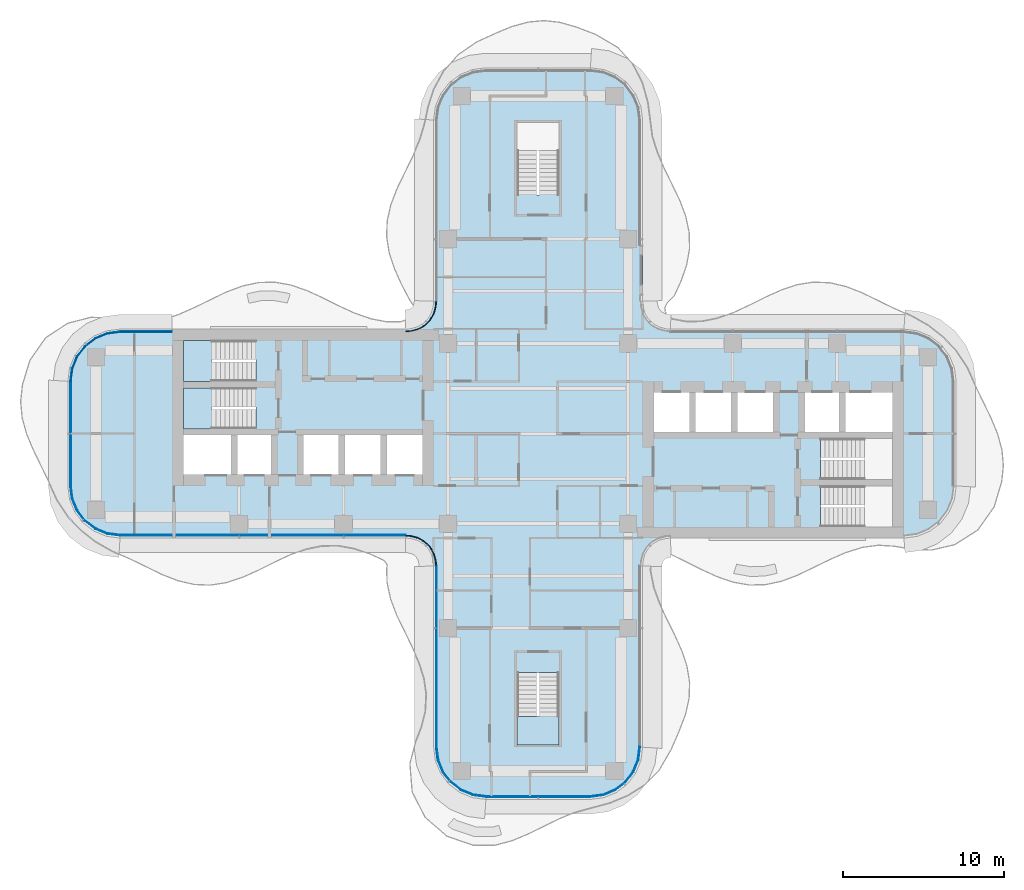
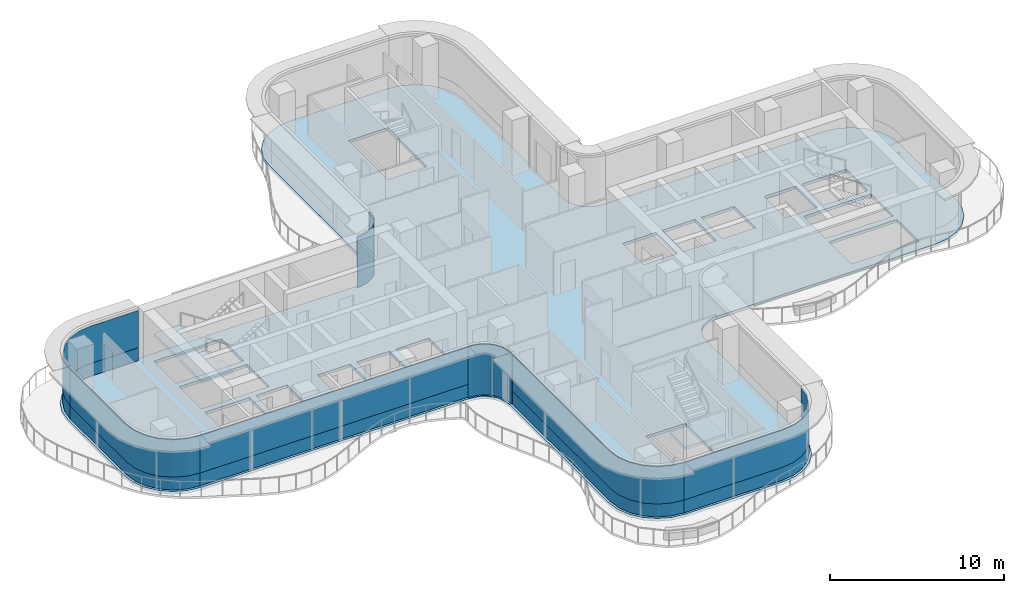
# One storey, part 8 of 16: 12 plates, 4 slabs, 10 elements without a shape of their own.
"""IFC4 building model written with IfcOpenShell, lengths in metres."""

from ifc_helpers import new_model, si_unit, direction, frame, origin, place, context, subcontext, project, spatial, polyline, outline, extrude, source, transform, mapped, material, layer, layer_set, type_object, element, aggregate, save


model = new_model("IFC4")

# Units and contexts
model_context = context("Model", 3, precision=1e-05, world=origin(), true_north=direction((0.0, 1.0)))
body_context = subcontext(model_context, "Body", "Model", "MODEL_VIEW")
ifc_project = project(units=[si_unit("LENGTHUNIT", "METRE"), si_unit("AREAUNIT", "SQUARE_METRE"), si_unit("VOLUMEUNIT", "CUBIC_METRE"), si_unit("PLANEANGLEUNIT", "RADIAN"), si_unit("MASSUNIT", "GRAM", prefix="KILO")], contexts=[model_context])

# Site, building, storey
site_placement = place(None, origin())
site = spatial("IfcSite", under=ifc_project, at=site_placement, CompositionType="ELEMENT")
building_placement = place(site_placement, origin())
building = spatial("IfcBuilding", under=site, at=building_placement, Name="Trellis Farm Tower", CompositionType="ELEMENT")
storey_placement = place(building_placement, frame((0.0, 0.0, 255.800048828125)))
storey = spatial("IfcBuildingStorey", under=building, at=storey_placement, Name="L57", CompositionType="ELEMENT", Elevation=255.800048828125)

# Slab
ifc_material_1 = material(Name="Concrete C40/50", Category="concrete")
ifc_layer_1 = layer(ifc_material_1, 0.199951171875)
ifc_layer_set_1 = layer_set([ifc_layer_1], Name="Composite deck floor slab 200")
slab_type_1 = type_object("IfcSlabType", Name="Composite deck floor slab 200", PredefinedType="FLOOR", material=ifc_layer_set_1)
shared_shape_1 = source(origin(), body_context, "Body", "SweptSolid", [
    extrude(outline(polyline([(-26.84130859375, -6.389404296875), (-27.625, -6.064697265625), (-28.298095703125, -5.548095703125), (-28.814697265625, -4.875), (-29.139404296875, -4.09130859375), (-29.25, -3.25), (-29.25, 3.25), (-29.139404296875, 4.09130859375), (-28.814697265625, 4.875), (-28.298095703125, 5.548095703125), (-27.625, 6.064697265625), (-26.84130859375, 6.389404296875), (-26.0, 6.5), (-8.2314453125, 6.5), (-8.01953125, 6.513916015625), (-7.91552734375, 6.527587890625), (-7.508544921875, 6.63671875), (-7.144287109375, 6.846923828125), (-6.846923828125, 7.144287109375), (-6.63671875, 7.508544921875), (-6.527587890625, 7.91552734375), (-6.513916015625, 8.01953125), (-6.5, 8.2314453125), (-6.5, 19.5), (-6.389404296875, 20.34130859375), (-6.064697265625, 21.125), (-5.548095703125, 21.798095703125), (-4.875, 22.314697265625), (-4.09130859375, 22.639404296875), (-3.25, 22.75), (3.25, 22.75), (4.09130859375, 22.639404296875), (4.875, 22.314697265625), (5.548095703125, 21.798095703125), (6.064697265625, 21.125), (6.389404296875, 20.34130859375), (6.5, 19.5), (6.5, 8.2314453125), (6.513916015625, 8.01953125), (6.527587890625, 7.91552734375), (6.63671875, 7.508544921875), (6.846923828125, 7.144287109375), (7.144287109375, 6.846923828125), (7.508544921875, 6.63671875), (7.91552734375, 6.527587890625), (8.01953125, 6.513916015625), (8.2314453125, 6.5), (22.75, 6.5), (23.59130859375, 6.389404296875), (24.375, 6.064697265625), (25.048095703125, 5.548095703125), (25.564697265625, 4.875), (25.889404296875, 4.09130859375), (26.0, 3.25), (26.0, -3.25), (25.889404296875, -4.09130859375), (25.564697265625, -4.875), (25.048095703125, -5.548095703125), (24.375, -6.064697265625), (23.59130859375, -6.389404296875), (22.75, -6.5), (8.2314453125, -6.5), (8.01953125, -6.513916015625), (7.91552734375, -6.527587890625), (7.508544921875, -6.63671875), (7.144287109375, -6.846923828125), (6.846923828125, -7.144287109375), (6.63671875, -7.508544921875), (6.527587890625, -7.91552734375), (6.513916015625, -8.01953125), (6.5, -8.2314453125), (6.5, -19.5), (6.389404296875, -20.34130859375), (6.064697265625, -21.125), (5.548095703125, -21.798095703125), (4.875, -22.314697265625), (4.09130859375, -22.639404296875), (3.25, -22.75), (-3.25, -22.75), (-4.09130859375, -22.639404296875), (-4.875, -22.314697265625), (-5.548095703125, -21.798095703125), (-6.064697265625, -21.125), (-6.389404296875, -20.34130859375), (-6.5, -19.5), (-6.5, -8.2314453125), (-6.513916015625, -8.01953125), (-6.527587890625, -7.91552734375), (-6.63671875, -7.508544921875), (-6.846923828125, -7.144287109375), (-7.144287109375, -6.846923828125), (-7.508544921875, -6.63671875), (-7.91552734375, -6.527587890625), (-8.01953125, -6.513916015625), (-8.2314453125, -6.5), (-26.0, -6.5), (-26.84130859375, -6.389404296875)]), holes=[polyline([(-22.050048828125, -0.10009765625), (-22.050048828125, -2.550048828125), (-19.10009765625, -2.550048828125), (-19.10009765625, -0.10009765625), (-22.050048828125, -0.10009765625)]), polyline([(-18.699951171875, -0.10009765625), (-18.699951171875, -2.550048828125), (-16.60009765625, -2.550048828125), (-16.60009765625, -0.10009765625), (-18.699951171875, -0.10009765625)]), polyline([(-14.60009765625, -0.10009765625), (-14.60009765625, -2.550048828125), (-12.39990234375, -2.550048828125), (-12.39990234375, -0.10009765625), (-14.60009765625, -0.10009765625)]), polyline([(-12.0, -0.10009765625), (-12.0, -2.550048828125), (-9.800048828125, -2.550048828125), (-9.800048828125, -0.10009765625), (-12.0, -0.10009765625)]), polyline([(-9.39990234375, -0.10009765625), (-9.39990234375, -2.550048828125), (-7.199951171875, -2.550048828125), (-7.199951171875, -0.10009765625), (-9.39990234375, -0.10009765625)]), polyline([(-17.56201171875, 1.64990234375), (-17.56201171875, 2.85009765625), (-22.050048828125, 2.85009765625), (-22.050048828125, 0.300048828125), (-17.56005859375, 0.300048828125), (-17.56005859375, 1.5), (-17.550048828125, 1.5), (-17.550048828125, 1.64990234375), (-17.56201171875, 1.64990234375)]), polyline([(-17.56201171875, 4.60009765625), (-17.56201171875, 5.800048828125), (-22.050048828125, 5.800048828125), (-22.050048828125, 3.25), (-17.56005859375, 3.25), (-17.56005859375, 4.449951171875), (-17.550048828125, 4.449951171875), (-17.550048828125, 4.60009765625), (-17.56201171875, 4.60009765625)]), polyline([(0.10009765625, 14.862060546875), (1.300048828125, 14.862060546875), (1.300048828125, 19.35009765625), (-1.300048828125, 19.35009765625), (-1.300048828125, 14.860107421875), (-0.10009765625, 14.860107421875), (-0.10009765625, 14.85009765625), (0.10009765625, 14.85009765625), (0.10009765625, 14.862060546875)]), polyline([(-0.10009765625, -14.862060546875), (-1.300048828125, -14.862060546875), (-1.300048828125, -19.35009765625), (1.300048828125, -19.35009765625), (1.300048828125, -14.860107421875), (0.10009765625, -14.860107421875), (0.10009765625, -14.85009765625), (-0.10009765625, -14.85009765625), (-0.10009765625, -14.862060546875)]), polyline([(17.56201171875, -4.60009765625), (17.56201171875, -5.800048828125), (22.050048828125, -5.800048828125), (22.050048828125, -3.25), (17.56005859375, -3.25), (17.56005859375, -4.449951171875), (17.550048828125, -4.449951171875), (17.550048828125, -4.60009765625), (17.56201171875, -4.60009765625)]), polyline([(17.56201171875, -1.64990234375), (17.56201171875, -2.85009765625), (22.050048828125, -2.85009765625), (22.050048828125, -0.300048828125), (17.56005859375, -0.300048828125), (17.56005859375, -1.5), (17.550048828125, -1.5), (17.550048828125, -1.64990234375), (17.56201171875, -1.64990234375)]), polyline([(9.39990234375, 0.10009765625), (9.39990234375, 2.550048828125), (7.199951171875, 2.550048828125), (7.199951171875, 0.10009765625), (9.39990234375, 0.10009765625)]), polyline([(12.0, 0.10009765625), (12.0, 2.550048828125), (9.800048828125, 2.550048828125), (9.800048828125, 0.10009765625), (12.0, 0.10009765625)]), polyline([(14.60009765625, 0.10009765625), (14.60009765625, 2.550048828125), (12.39990234375, 2.550048828125), (12.39990234375, 0.10009765625), (14.60009765625, 0.10009765625)]), polyline([(18.699951171875, 0.10009765625), (18.699951171875, 2.550048828125), (16.60009765625, 2.550048828125), (16.60009765625, 0.10009765625), (18.699951171875, 0.10009765625)]), polyline([(22.050048828125, 0.10009765625), (22.050048828125, 2.550048828125), (19.10009765625, 2.550048828125), (19.10009765625, 0.10009765625), (22.050048828125, 0.10009765625)])]), origin(), (0.0, 0.0, 1.0), 0.199951171875),
])
slab_1_placement = place(storey_placement, frame((0.0, 0.0, -0.199951171875)))
element("IfcSlab", 1, at=slab_1_placement, inside=storey, type_object=slab_type_1, Name="Floor slab", PredefinedType="FLOOR", context=body_context, shape_type="MappedRepresentation", body=[
    mapped(shared_shape_1, transform((0.0, 0.0, 0.0))),
])

# Stair, slab
ifc_material_2 = material(Name="Concrete C50/60", Category="concrete")
stair_type = type_object("IfcStairType", Name="CORE EXIT STAIR 22 RISERS 177 MM", PredefinedType="HALF_TURN_STAIR", material=ifc_material_2)
placement_1 = place(storey_placement, origin())
stair_1 = element("IfcStair", 2, at=placement_1, inside=storey, type_object=stair_type, Name="Exit stair S", PredefinedType="HALF_TURN_STAIR")
ifc_layer_2 = layer(ifc_material_2, 0.18994140625)
ifc_layer_set_2 = layer_set([ifc_layer_2], Name="CORE STAIR LANDING 190 CONCRETE C50/60")
slab_type_2 = type_object("IfcSlabType", Name="CORE STAIR LANDING 190 CONCRETE C50/60", PredefinedType="LANDING", material=ifc_layer_set_2)
shared_shape_2 = source(origin(), body_context, "Body", "SweptSolid", [
    extrude(outline(polyline([(1.300048828125, -19.35009765625), (-1.300048828125, -19.35009765625), (-1.300048828125, -17.60009765625), (-1.300048828125, -17.590087890625), (-0.10009765625, -17.590087890625), (-0.10009765625, -17.60009765625), (0.10009765625, -17.60009765625), (0.10009765625, -17.27197265625), (1.300048828125, -17.27197265625), (1.300048828125, -17.60009765625), (1.300048828125, -19.35009765625)])), origin(), (0.0, 0.0, 1.0), 0.18994140625),
])
placement_2 = place(storey_placement, frame((0.0, 0.0, 1.760009765625)))
slab_2 = element("IfcSlab", 3, at=placement_2, type_object=slab_type_2, Name="STS landing 1", PredefinedType="LANDING", context=body_context, shape_type="MappedRepresentation", body=[
    mapped(shared_shape_2, transform((0.0, 0.0, 0.0))),
])
aggregate(stair_1, [slab_2])

stair_2 = element("IfcStair", 4, at=placement_1, inside=storey, type_object=stair_type, Name="Exit stair W1", PredefinedType="HALF_TURN_STAIR")
shared_shape_3 = source(origin(), body_context, "Body", "SweptSolid", [
    extrude(outline(polyline([(-19.971923828125, 4.449951171875), (-19.971923828125, 3.25), (-20.300048828125, 3.25), (-22.050048828125, 3.25), (-22.050048828125, 5.800048828125), (-20.300048828125, 5.800048828125), (-20.2900390625, 5.800048828125), (-20.2900390625, 4.60009765625), (-20.300048828125, 4.60009765625), (-20.300048828125, 4.449951171875), (-19.971923828125, 4.449951171875)])), origin(), (0.0, 0.0, 1.0), 0.18994140625),
])
slab_3 = element("IfcSlab", 5, at=placement_2, type_object=slab_type_2, Name="STW1 landing 1", PredefinedType="LANDING", context=body_context, shape_type="MappedRepresentation", body=[
    mapped(shared_shape_3, transform((0.0, 0.0, 0.0))),
])
aggregate(stair_2, [slab_3])

stair_3 = element("IfcStair", 6, at=placement_1, inside=storey, type_object=stair_type, Name="Exit stair W2", PredefinedType="HALF_TURN_STAIR")
shared_shape_4 = source(origin(), body_context, "Body", "SweptSolid", [
    extrude(outline(polyline([(-19.971923828125, 1.5), (-19.971923828125, 0.300048828125), (-20.300048828125, 0.300048828125), (-22.050048828125, 0.300048828125), (-22.050048828125, 2.85009765625), (-20.300048828125, 2.85009765625), (-20.2900390625, 2.85009765625), (-20.2900390625, 1.64990234375), (-20.300048828125, 1.64990234375), (-20.300048828125, 1.5), (-19.971923828125, 1.5)])), origin(), (0.0, 0.0, 1.0), 0.18994140625),
])
slab_4 = element("IfcSlab", 7, at=placement_2, type_object=slab_type_2, Name="STW2 landing 1", PredefinedType="LANDING", context=body_context, shape_type="MappedRepresentation", body=[
    mapped(shared_shape_4, transform((0.0, 0.0, 0.0))),
])
aggregate(stair_3, [slab_4])

# Curtain wall, plate
ifc_material_3 = material(Name="Aluminium and glass curtain wall", Category="aluminium")
ifc_layer_3 = layer(ifc_material_3, 0.166015625)
ifc_layer_set_3 = layer_set([ifc_layer_3], Name="WINTER GARDEN CURTAIN WALL CW3")
curtain_wall_type_1 = type_object("IfcCurtainWallType", Name="WINTER GARDEN CURTAIN WALL CW3", PredefinedType="NOTDEFINED", material=ifc_layer_set_3)
curtain_wall_1 = element("IfcCurtainWall", 8, at=placement_1, inside=storey, type_object=curtain_wall_type_1, Name="CW3 001", PredefinedType="NOTDEFINED")
ifc_material_4 = material(Name="Clear insulated glass", Category="glass")
ifc_layer_4 = layer(ifc_material_4, 0.0458984375)
ifc_layer_set_4 = layer_set([ifc_layer_4], Name="CW3 GLASS PANEL 46")
plate_type_1 = type_object("IfcPlateType", Name="CW3 GLASS PANEL 46", PredefinedType="CURTAIN_PANEL", material=ifc_layer_set_4)
shared_shape_5 = source(origin(), body_context, "Body", "SweptSolid", [
    extrude(outline(polyline([(-8.2275390625, -6.3798828125), (-8.0078125, -6.394287109375), (-7.89208984375, -6.40966796875), (-7.462158203125, -6.52490234375), (-7.070556640625, -6.7509765625), (-6.7509765625, -7.070556640625), (-6.52490234375, -7.462158203125), (-6.40966796875, -7.89208984375), (-6.394287109375, -8.0078125), (-6.3798828125, -8.2275390625), (-6.333984375, -8.22607421875), (-6.3486328125, -8.003173828125), (-6.364501953125, -7.883056640625), (-6.48193359375, -7.4443359375), (-6.714111328125, -7.04248046875), (-7.04248046875, -6.714111328125), (-7.4443359375, -6.48193359375), (-7.883056640625, -6.364501953125), (-8.003173828125, -6.3486328125), (-8.22607421875, -6.333984375), (-8.2275390625, -6.3798828125)])), origin(), (0.0, 0.0, 1.0), 3.550048828125),
])
plate_1 = element("IfcPlate", 9, at=placement_1, type_object=plate_type_1, Name="PL3 001", PredefinedType="CURTAIN_PANEL", context=body_context, shape_type="MappedRepresentation", body=[
    mapped(shared_shape_5, transform((0.0, 0.0, 0.0))),
])
aggregate(curtain_wall_1, [plate_1])

curtain_wall_2 = element("IfcCurtainWall", 10, at=placement_1, inside=storey, type_object=curtain_wall_type_1, Name="CW3 004", PredefinedType="NOTDEFINED")
shared_shape_6 = source(origin(), body_context, "Body", "SweptSolid", [
    extrude(outline(polyline([(-6.3798828125, 8.2275390625), (-6.394287109375, 8.0078125), (-6.40966796875, 7.89208984375), (-6.52490234375, 7.462158203125), (-6.7509765625, 7.070556640625), (-7.070556640625, 6.7509765625), (-7.462158203125, 6.52490234375), (-7.89208984375, 6.40966796875), (-8.0078125, 6.394287109375), (-8.2275390625, 6.3798828125), (-8.22607421875, 6.333984375), (-8.003173828125, 6.3486328125), (-7.883056640625, 6.364501953125), (-7.4443359375, 6.48193359375), (-7.04248046875, 6.714111328125), (-6.714111328125, 7.04248046875), (-6.48193359375, 7.4443359375), (-6.364501953125, 7.883056640625), (-6.3486328125, 8.003173828125), (-6.333984375, 8.22607421875), (-6.3798828125, 8.2275390625)])), origin(), (0.0, 0.0, 1.0), 3.550048828125),
])
plate_2 = element("IfcPlate", 11, at=placement_1, type_object=plate_type_1, Name="PL3 004", PredefinedType="CURTAIN_PANEL", context=body_context, shape_type="MappedRepresentation", body=[
    mapped(shared_shape_6, transform((0.0, 0.0, 0.0))),
])
aggregate(curtain_wall_2, [plate_2])

# Curtain wall, plates
ifc_layer_5 = layer(ifc_material_3, 0.18994140625)
ifc_layer_set_5 = layer_set([ifc_layer_5], Name="RIBBON CURTAIN WALL CW1")
curtain_wall_type_2 = type_object("IfcCurtainWallType", Name="RIBBON CURTAIN WALL CW1", PredefinedType="NOTDEFINED", material=ifc_layer_set_5)
curtain_wall_3 = element("IfcCurtainWall", 12, at=placement_1, inside=storey, type_object=curtain_wall_type_2, Name="CW1 001", PredefinedType="NOTDEFINED")
ifc_layer_6 = layer(ifc_material_4, 0.0400390625)
ifc_layer_set_6 = layer_set([ifc_layer_6], Name="CW1 GLASS PANEL 40")
plate_type_2 = type_object("IfcPlateType", Name="CW1 GLASS PANEL 40", PredefinedType="CURTAIN_PANEL", material=ifc_layer_set_6)
shared_shape_7 = source(origin(), body_context, "Body", "SweptSolid", [
    extrude(outline(polyline([(-25.990234375, -6.35009765625), (-8.2265625, -6.35009765625), (-8.22509765625, -6.31005859375), (-25.987548828125, -6.31005859375), (-25.990234375, -6.35009765625)])), origin(), (0.0, 0.0, 1.0), 2.6201171875),
])
placement_3 = place(storey_placement, frame((0.0, 0.0, 0.89990234375)))
plate_3 = element("IfcPlate", 13, at=placement_3, type_object=plate_type_2, Name="PL1 001", PredefinedType="CURTAIN_PANEL", context=body_context, shape_type="MappedRepresentation", body=[
    mapped(shared_shape_7, transform((0.0, 0.0, 0.0))),
])
ifc_material_5 = material(Name="Sandstone faced insulated panel", Category="masonry")
ifc_layer_7 = layer(ifc_material_5, 0.050048828125)
ifc_layer_set_7 = layer_set([ifc_layer_7], Name="CW1 STONE SPANDREL PANEL 50")
plate_type_3 = type_object("IfcPlateType", Name="CW1 STONE SPANDREL PANEL 50", PredefinedType="CURTAIN_PANEL", material=ifc_layer_set_7)
shared_shape_8 = source(origin(), body_context, "Body", "SweptSolid", [
    extrude(outline(polyline([(-25.990234375, -6.35009765625), (-8.2265625, -6.35009765625), (-8.224853515625, -6.300048828125), (-25.98681640625, -6.300048828125), (-25.990234375, -6.35009765625)])), origin(), (0.0, 0.0, 1.0), 0.89990234375),
])
plate_4 = element("IfcPlate", 14, at=placement_1, type_object=plate_type_3, Name="PS1 001", PredefinedType="CURTAIN_PANEL", context=body_context, shape_type="MappedRepresentation", body=[
    mapped(shared_shape_8, transform((0.0, 0.0, 0.0))),
])
aggregate(curtain_wall_3, [plate_3, plate_4])

curtain_wall_4 = element("IfcCurtainWall", 15, at=placement_1, inside=storey, type_object=curtain_wall_type_2, Name="CW1 012", PredefinedType="NOTDEFINED")
shared_shape_9 = source(origin(), body_context, "Body", "SweptSolid", [
    extrude(outline(polyline([(-22.780029296875, 6.35009765625), (-25.990234375, 6.35009765625), (-26.802001953125, 6.2431640625), (-27.54931640625, 5.93359375), (-28.191162109375, 5.441162109375), (-28.68359375, 4.79931640625), (-28.9931640625, 4.052001953125), (-29.10009765625, 3.240234375), (-29.06005859375, 3.237548828125), (-28.9541015625, 4.04150390625), (-28.648681640625, 4.779296875), (-28.16259765625, 5.41259765625), (-27.529296875, 5.898681640625), (-26.79150390625, 6.2041015625), (-25.987548828125, 6.31005859375), (-22.780029296875, 6.31005859375), (-22.780029296875, 6.35009765625)])), origin(), (0.0, 0.0, 1.0), 2.6201171875),
])
plate_5 = element("IfcPlate", 16, at=placement_3, type_object=plate_type_2, Name="PL1 012", PredefinedType="CURTAIN_PANEL", context=body_context, shape_type="MappedRepresentation", body=[
    mapped(shared_shape_9, transform((0.0, 0.0, 0.0))),
])
shared_shape_10 = source(origin(), body_context, "Body", "SweptSolid", [
    extrude(outline(polyline([(-22.780029296875, 6.35009765625), (-25.990234375, 6.35009765625), (-26.802001953125, 6.2431640625), (-27.54931640625, 5.93359375), (-28.191162109375, 5.441162109375), (-28.68359375, 4.79931640625), (-28.9931640625, 4.052001953125), (-29.10009765625, 3.240234375), (-29.050048828125, 3.23681640625), (-28.9443359375, 4.0390625), (-28.639892578125, 4.774169921875), (-28.155517578125, 5.405517578125), (-27.524169921875, 5.889892578125), (-26.7890625, 6.1943359375), (-25.98681640625, 6.300048828125), (-22.780029296875, 6.300048828125), (-22.780029296875, 6.35009765625)])), origin(), (0.0, 0.0, 1.0), 0.89990234375),
])
plate_6 = element("IfcPlate", 17, at=placement_1, type_object=plate_type_3, Name="PS1 012", PredefinedType="CURTAIN_PANEL", context=body_context, shape_type="MappedRepresentation", body=[
    mapped(shared_shape_10, transform((0.0, 0.0, 0.0))),
])
aggregate(curtain_wall_4, [plate_5, plate_6])

curtain_wall_5 = element("IfcCurtainWall", 18, at=placement_1, inside=storey, type_object=curtain_wall_type_2, Name="CW1 013", PredefinedType="NOTDEFINED")
shared_shape_11 = source(origin(), body_context, "Body", "SweptSolid", [
    extrude(outline(polyline([(-29.10009765625, 3.240234375), (-29.10009765625, -3.240234375), (-28.9931640625, -4.052001953125), (-28.68359375, -4.79931640625), (-28.191162109375, -5.441162109375), (-27.54931640625, -5.93359375), (-26.802001953125, -6.2431640625), (-25.990234375, -6.35009765625), (-25.987548828125, -6.31005859375), (-26.79150390625, -6.2041015625), (-27.529296875, -5.898681640625), (-28.16259765625, -5.41259765625), (-28.648681640625, -4.779296875), (-28.9541015625, -4.04150390625), (-29.06005859375, -3.237548828125), (-29.06005859375, 3.237548828125), (-29.10009765625, 3.240234375)])), origin(), (0.0, 0.0, 1.0), 2.6201171875),
])
plate_7 = element("IfcPlate", 19, at=placement_3, type_object=plate_type_2, Name="PL1 013", PredefinedType="CURTAIN_PANEL", context=body_context, shape_type="MappedRepresentation", body=[
    mapped(shared_shape_11, transform((0.0, 0.0, 0.0))),
])
shared_shape_12 = source(origin(), body_context, "Body", "SweptSolid", [
    extrude(outline(polyline([(-29.10009765625, 3.240234375), (-29.10009765625, -3.240234375), (-28.9931640625, -4.052001953125), (-28.68359375, -4.79931640625), (-28.191162109375, -5.441162109375), (-27.54931640625, -5.93359375), (-26.802001953125, -6.2431640625), (-25.990234375, -6.35009765625), (-25.98681640625, -6.300048828125), (-26.7890625, -6.1943359375), (-27.524169921875, -5.889892578125), (-28.155517578125, -5.405517578125), (-28.639892578125, -4.774169921875), (-28.9443359375, -4.0390625), (-29.050048828125, -3.23681640625), (-29.050048828125, 3.23681640625), (-29.10009765625, 3.240234375)])), origin(), (0.0, 0.0, 1.0), 0.89990234375),
])
plate_8 = element("IfcPlate", 20, at=placement_1, type_object=plate_type_3, Name="PS1 013", PredefinedType="CURTAIN_PANEL", context=body_context, shape_type="MappedRepresentation", body=[
    mapped(shared_shape_12, transform((0.0, 0.0, 0.0))),
])
aggregate(curtain_wall_5, [plate_7, plate_8])

curtain_wall_6 = element("IfcCurtainWall", 21, at=placement_1, inside=storey, type_object=curtain_wall_type_2, Name="CW1 002", PredefinedType="NOTDEFINED")
shared_shape_13 = source(origin(), body_context, "Body", "SweptSolid", [
    extrude(outline(polyline([(-6.35009765625, -8.2265625), (-6.35009765625, -19.490234375), (-6.2431640625, -20.302001953125), (-5.93359375, -21.04931640625), (-5.441162109375, -21.691162109375), (-4.79931640625, -22.18359375), (-4.052001953125, -22.4931640625), (-3.240234375, -22.60009765625), (-3.237548828125, -22.56005859375), (-4.04150390625, -22.4541015625), (-4.779296875, -22.148681640625), (-5.41259765625, -21.66259765625), (-5.898681640625, -21.029296875), (-6.2041015625, -20.29150390625), (-6.31005859375, -19.487548828125), (-6.31005859375, -8.22509765625), (-6.35009765625, -8.2265625)])), origin(), (0.0, 0.0, 1.0), 2.6201171875),
])
plate_9 = element("IfcPlate", 22, at=placement_3, type_object=plate_type_2, Name="PL1 002", PredefinedType="CURTAIN_PANEL", context=body_context, shape_type="MappedRepresentation", body=[
    mapped(shared_shape_13, transform((0.0, 0.0, 0.0))),
])
shared_shape_14 = source(origin(), body_context, "Body", "SweptSolid", [
    extrude(outline(polyline([(-6.35009765625, -8.2265625), (-6.35009765625, -19.490234375), (-6.2431640625, -20.302001953125), (-5.93359375, -21.04931640625), (-5.441162109375, -21.691162109375), (-4.79931640625, -22.18359375), (-4.052001953125, -22.4931640625), (-3.240234375, -22.60009765625), (-3.23681640625, -22.550048828125), (-4.0390625, -22.4443359375), (-4.774169921875, -22.139892578125), (-5.405517578125, -21.655517578125), (-5.889892578125, -21.024169921875), (-6.1943359375, -20.2890625), (-6.300048828125, -19.48681640625), (-6.300048828125, -8.224853515625), (-6.35009765625, -8.2265625)])), origin(), (0.0, 0.0, 1.0), 0.89990234375),
])
plate_10 = element("IfcPlate", 23, at=placement_1, type_object=plate_type_3, Name="PS1 002", PredefinedType="CURTAIN_PANEL", context=body_context, shape_type="MappedRepresentation", body=[
    mapped(shared_shape_14, transform((0.0, 0.0, 0.0))),
])
aggregate(curtain_wall_6, [plate_9, plate_10])

curtain_wall_7 = element("IfcCurtainWall", 24, at=placement_1, inside=storey, type_object=curtain_wall_type_2, Name="CW1 003", PredefinedType="NOTDEFINED")
shared_shape_15 = source(origin(), body_context, "Body", "SweptSolid", [
    extrude(outline(polyline([(-3.240234375, -22.60009765625), (3.240234375, -22.60009765625), (4.052001953125, -22.4931640625), (4.79931640625, -22.18359375), (5.441162109375, -21.691162109375), (5.93359375, -21.04931640625), (6.2431640625, -20.302001953125), (6.35009765625, -19.490234375), (6.31005859375, -19.487548828125), (6.2041015625, -20.29150390625), (5.898681640625, -21.029296875), (5.41259765625, -21.66259765625), (4.779296875, -22.148681640625), (4.04150390625, -22.4541015625), (3.237548828125, -22.56005859375), (-3.237548828125, -22.56005859375), (-3.240234375, -22.60009765625)])), origin(), (0.0, 0.0, 1.0), 2.6201171875),
])
plate_11 = element("IfcPlate", 25, at=placement_3, type_object=plate_type_2, Name="PL1 003", PredefinedType="CURTAIN_PANEL", context=body_context, shape_type="MappedRepresentation", body=[
    mapped(shared_shape_15, transform((0.0, 0.0, 0.0))),
])
shared_shape_16 = source(origin(), body_context, "Body", "SweptSolid", [
    extrude(outline(polyline([(-3.240234375, -22.60009765625), (3.240234375, -22.60009765625), (4.052001953125, -22.4931640625), (4.79931640625, -22.18359375), (5.441162109375, -21.691162109375), (5.93359375, -21.04931640625), (6.2431640625, -20.302001953125), (6.35009765625, -19.490234375), (6.300048828125, -19.48681640625), (6.1943359375, -20.2890625), (5.889892578125, -21.024169921875), (5.405517578125, -21.655517578125), (4.774169921875, -22.139892578125), (4.0390625, -22.4443359375), (3.23681640625, -22.550048828125), (-3.23681640625, -22.550048828125), (-3.240234375, -22.60009765625)])), origin(), (0.0, 0.0, 1.0), 0.89990234375),
])
plate_12 = element("IfcPlate", 26, at=placement_1, type_object=plate_type_3, Name="PS1 003", PredefinedType="CURTAIN_PANEL", context=body_context, shape_type="MappedRepresentation", body=[
    mapped(shared_shape_16, transform((0.0, 0.0, 0.0))),
])
aggregate(curtain_wall_7, [plate_11, plate_12])

save(model, "model.ifc")
